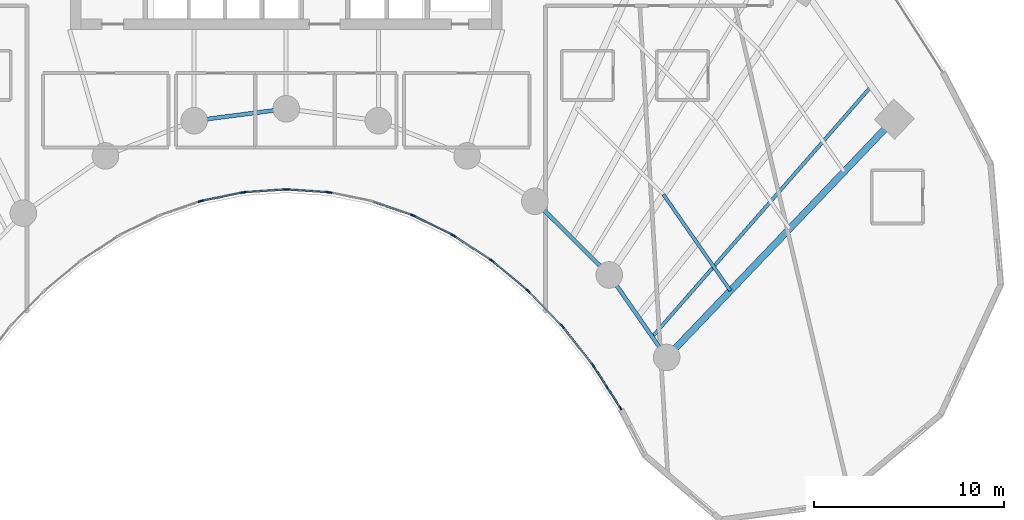
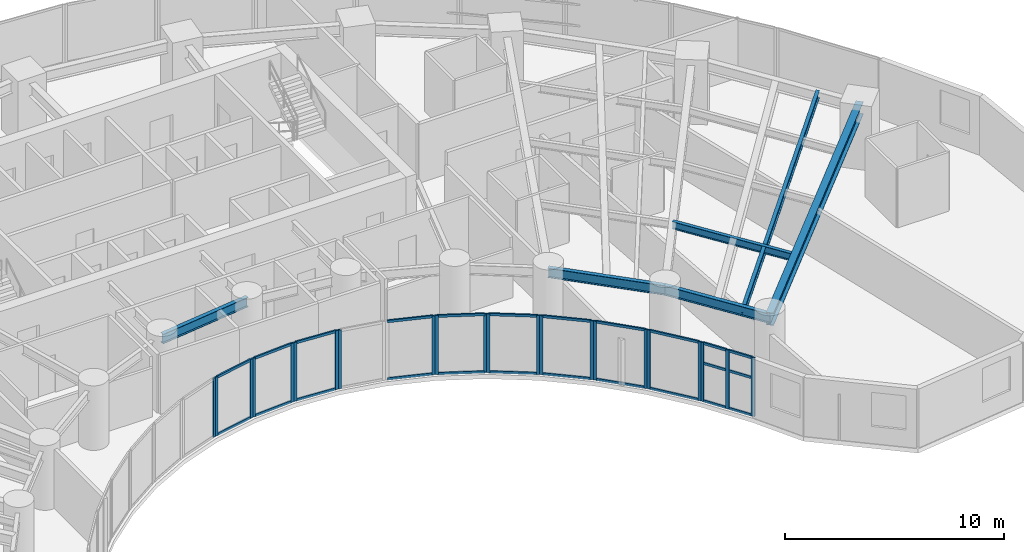
# One storey, part 4 of 17: 46 members, 6 beams, 12 elements without a shape of their own.
"""IFC4 building model written with IfcOpenShell, lengths in metres."""

import ifcopenshell
import ifcopenshell.guid

model = None  # the IFC model being written
_history = None  # IfcOwnerHistory: only IFC2X3 demands one
_inside = {}  # id of a spatial element -> (the spatial element, [elements in it])
_under = {}  # id of a project, library or spatial element -> (it, [spatial elements below it])
_declared = {}  # id of a project -> (the project, [libraries it declares])
_typed = {}  # id of a type object -> (the type object, [elements of that type])
_made_of = {}  # id of a material, layer set ... -> (it, [elements and type objects made of it])


def new_model(schema):
    """Start an empty IFC model of exactly this schema.

    Asked for "IFC4X3", IfcOpenShell would pick the latest addendum, in which some entities
    have other attributes; the version numbers below select the first issue.
    IFC2X3 requires an IfcOwnerHistory on every rooted entity: one is made here for all.
    """
    global model, _history
    if schema == "IFC4X3":
        model = ifcopenshell.file(schema_version=(4, 3, 0, 0))
    else:
        model = ifcopenshell.file(schema=schema)
    _inside.clear()
    _under.clear()
    _declared.clear()
    _typed.clear()
    _made_of.clear()
    _history = None
    if model.schema == "IFC2X3":
        org = make("IfcOrganization", Name="unknown")
        user = make(
            "IfcPersonAndOrganization",
            ThePerson=make("IfcPerson", FamilyName="unknown"),
            TheOrganization=org,
        )
        app = make(
            "IfcApplication",
            ApplicationDeveloper=org,
            Version="unknown",
            ApplicationFullName="unknown",
            ApplicationIdentifier="unknown",
        )
        _history = make(
            "IfcOwnerHistory",
            OwningUser=user,
            OwningApplication=app,
            ChangeAction="ADDED",
            CreationDate=0,
        )
    return model


def make(cls, **values):
    """One entity of the class cls with the attributes given. An attribute that is None is left unset."""
    return model.create_entity(
        cls, **{name: value for name, value in values.items() if value is not None}
    )


def rooted(cls, **values):
    """An entity with a GlobalId (a new one), such as an element, a storey or a relation."""
    return make(cls, GlobalId=ifcopenshell.guid.new(), OwnerHistory=_history, **values)


def si_unit(unit_type, name, prefix=None):
    """IfcSIUnit, for example si_unit("LENGTHUNIT", "METRE", prefix="MILLI")."""
    return make("IfcSIUnit", UnitType=unit_type, Prefix=prefix, Name=name)


def assignment(units):
    """IfcUnitAssignment: the units of a project."""
    return None if units is None else make("IfcUnitAssignment", Units=units)


def point(xyz):
    """IfcCartesianPoint."""
    return None if xyz is None else make("IfcCartesianPoint", Coordinates=xyz)


def direction(xyz):
    """IfcDirection."""
    return None if xyz is None else make("IfcDirection", DirectionRatios=xyz)


def frame(location, z_axis=None, x_axis=None):
    """IfcAxis2Placement3D, a coordinate frame: its origin and axes. An axis left out is left unset."""
    return make(
        "IfcAxis2Placement3D",
        Location=point(location),
        Axis=direction(z_axis),
        RefDirection=direction(x_axis),
    )


def frame_2d(location, x_axis=None):
    """IfcAxis2Placement2D, a coordinate frame in the plane: its origin and x axis."""
    return make(
        "IfcAxis2Placement2D", Location=point(location), RefDirection=direction(x_axis)
    )


def origin():
    """The frame at (0, 0, 0) with its axes left unset."""
    return frame((0.0, 0.0, 0.0))


def origin_2d():
    """The frame at (0, 0) in the plane with its x axis left unset."""
    return frame_2d((0.0, 0.0))


def place(relative_to, where):
    """IfcLocalPlacement: puts the frame where relative to a parent placement (None: the world)."""
    return make(
        "IfcLocalPlacement", PlacementRelTo=relative_to, RelativePlacement=where
    )


def context(
    kind, dimensions, precision=None, world=None, true_north=None, identifier=None
):
    """IfcGeometricRepresentationContext, for example the 3D "Model" context."""
    return make(
        "IfcGeometricRepresentationContext",
        ContextIdentifier=identifier,
        ContextType=kind,
        CoordinateSpaceDimension=dimensions,
        Precision=precision,
        WorldCoordinateSystem=world,
        TrueNorth=true_north,
    )


def subcontext(parent, identifier, kind, view, scale=None):
    """IfcGeometricRepresentationSubContext, for example "Body" below "Model"."""
    return make(
        "IfcGeometricRepresentationSubContext",
        ContextIdentifier=identifier,
        ContextType=kind,
        ParentContext=parent,
        TargetScale=scale,
        TargetView=view,
    )


def project(units=None, contexts=None):
    """IfcProject with its units and contexts."""
    return rooted(
        "IfcProject",
        Name="project",
        RepresentationContexts=contexts,
        UnitsInContext=assignment(units),
    )


def spatial(cls, under=None, at=None, **own):
    """A site, building, storey or space (cls), placed at a placement, below another one or the project."""
    s = rooted(cls, ObjectPlacement=at, **own)
    if under is not None:
        _under.setdefault(under.id(), (under, []))[1].append(s)
    return s


def profile(cls, at=None, kind="AREA", **sizes):
    """A parametric profile (cls). Its sizes go by their IFC names, for example OverallWidth=200.0."""
    return make(cls, ProfileType=kind, Position=at, **sizes)


def rectangle(**sizes):
    """IfcRectangleProfileDef."""
    return profile("IfcRectangleProfileDef", **sizes)


def i_section(**sizes):
    """IfcIShapeProfileDef."""
    return profile("IfcIShapeProfileDef", **sizes)


def extrude(swept, where, along, depth):
    """IfcExtrudedAreaSolid: the profile swept, set in the frame where, extruded along a direction by depth."""
    return make(
        "IfcExtrudedAreaSolid",
        SweptArea=swept,
        Position=where,
        ExtrudedDirection=direction(along),
        Depth=depth,
    )


def shape(context_of_items, identifier, shape_type, items):
    """IfcShapeRepresentation: the items that make up one representation, for example the "Body"."""
    return make(
        "IfcShapeRepresentation",
        ContextOfItems=context_of_items,
        RepresentationIdentifier=identifier,
        RepresentationType=shape_type,
        Items=items,
    )


def source(mapping_origin, context_of_items, identifier, shape_type, items):
    """IfcRepresentationMap: a shape defined once, which mapped items show again and again."""
    return make(
        "IfcRepresentationMap",
        MappingOrigin=mapping_origin,
        MappedRepresentation=shape(context_of_items, identifier, shape_type, items),
    )


def transform(
    local_origin,
    x_axis=None,
    y_axis=None,
    z_axis=None,
    scale=None,
    scale2=None,
    scale3=None,
    uniform=True,
):
    """IfcCartesianTransformationOperator3D, or its non-uniform kind. x_axis, y_axis, z_axis: its Axis1, 2, 3."""
    if uniform:
        return make(
            "IfcCartesianTransformationOperator3D",
            Axis1=direction(x_axis),
            Axis2=direction(y_axis),
            LocalOrigin=point(local_origin),
            Scale=scale,
            Axis3=direction(z_axis),
        )
    return make(
        "IfcCartesianTransformationOperator3DnonUniform",
        Axis1=direction(x_axis),
        Axis2=direction(y_axis),
        LocalOrigin=point(local_origin),
        Scale=scale,
        Axis3=direction(z_axis),
        Scale2=scale2,
        Scale3=scale3,
    )


def mapped(mapping_source, mapping_target):
    """IfcMappedItem: shows the shape of a source again, moved by a transform."""
    return make(
        "IfcMappedItem", MappingSource=mapping_source, MappingTarget=mapping_target
    )


def material(Name=None, Category=None):
    """IfcMaterial."""
    return make("IfcMaterial", Name=Name, Category=Category)


def layer(
    of_material, thickness, ventilated=None, Name=None, Category=None, Priority=None
):
    """IfcMaterialLayer: one layer of a wall or slab, of a material (None: an air gap)."""
    return make(
        "IfcMaterialLayer",
        Material=of_material,
        LayerThickness=thickness,
        IsVentilated=ventilated,
        Name=Name,
        Category=Category,
        Priority=Priority,
    )


def layer_set(layers, Name=None):
    """IfcMaterialLayerSet."""
    return make("IfcMaterialLayerSet", MaterialLayers=layers, LayerSetName=Name)


def material_profile(
    of_material, cross_section, Name=None, Category=None, Priority=None
):
    """IfcMaterialProfile: a cross section and its material."""
    return make(
        "IfcMaterialProfile",
        Name=Name,
        Material=of_material,
        Profile=cross_section,
        Priority=Priority,
        Category=Category,
    )


def profile_set(profiles, Name=None, composite=None):
    """IfcMaterialProfileSet."""
    return make(
        "IfcMaterialProfileSet",
        Name=Name,
        MaterialProfiles=profiles,
        CompositeProfile=composite,
    )


def made_of(thing, what):
    """Note that an element or type object is made of a material, layer set ...; save() writes the relation."""
    if what is not None:
        _made_of.setdefault(what.id(), (what, []))[1].append(thing)
    return thing


def type_object(cls, material=None, **own):
    """A type object (cls), such as IfcWallType, which elements share."""
    return made_of(rooted(cls, **own), material)


def type_shapes(of_type, sources):
    """Give a type object the sources (RepresentationMaps) that its elements show as mapped items."""
    of_type.RepresentationMaps = sources


def element(
    cls,
    number,
    at=None,
    inside=None,
    cuts=None,
    type_object=None,
    material=None,
    context=None,
    identifier="Body",
    shape_type=None,
    held_by="IfcProductDefinitionShape",
    body=None,
    shapes=None,
    **own,
):
    """One element of the class cls, such as IfcWall. Its Tag is "e" and its number.

    at: its placement. inside: the storey or other place that contains it. cuts: it is an
    opening in that element (IfcRelVoidsElement). A single representation is given by context,
    identifier, shape_type and body (its items); several are given by shapes. held_by: the class
    of the entity that holds the representations. save() writes the other relations.
    """
    e = rooted(cls, Tag="e%d" % number, ObjectPlacement=at, **own)
    if body is not None:
        shapes = [shape(context, identifier, shape_type, body)]
    if shapes is not None:
        e.Representation = make(held_by, Representations=shapes)
    if inside is not None:
        _inside.setdefault(inside.id(), (inside, []))[1].append(e)
    if cuts is not None:
        rooted(
            "IfcRelVoidsElement", RelatingBuildingElement=cuts, RelatedOpeningElement=e
        )
    if type_object is not None:
        _typed.setdefault(type_object.id(), (type_object, []))[1].append(e)
    return made_of(e, material)


def aggregate(whole, parts):
    """IfcRelAggregates: a whole, such as a stair, and the parts it consists of."""
    return rooted("IfcRelAggregates", RelatingObject=whole, RelatedObjects=parts)


def save(model, path):
    """Write the relations noted so far, then the file.

    IfcRelAggregates (storeys below a building ...), IfcRelContainedInSpatialStructure (elements
    in a storey), IfcRelDefinesByType, IfcRelAssociatesMaterial and IfcRelDeclares: one each for
    every whole, place, type object, material and project.
    """
    for whole, parts in _under.values():
        aggregate(whole, parts)
    for where, things in _inside.values():
        rooted(
            "IfcRelContainedInSpatialStructure",
            RelatedElements=things,
            RelatingStructure=where,
        )
    for kind, things in _typed.values():
        rooted("IfcRelDefinesByType", RelatedObjects=things, RelatingType=kind)
    for what, things in _made_of.values():
        rooted("IfcRelAssociatesMaterial", RelatedObjects=things, RelatingMaterial=what)
    for by, libraries in _declared.values():
        rooted("IfcRelDeclares", RelatingContext=by, RelatedDefinitions=libraries)
    model.write(path)


model = new_model("IFC4")

# Units and contexts
model_context = context("Model", 3, precision=1e-05, world=origin(), true_north=direction((0.0, 1.0)))
body_context = subcontext(model_context, "Body", "Model", "MODEL_VIEW")
ifc_project = project(units=[si_unit("LENGTHUNIT", "METRE"), si_unit("AREAUNIT", "SQUARE_METRE"), si_unit("VOLUMEUNIT", "CUBIC_METRE"), si_unit("PLANEANGLEUNIT", "RADIAN"), si_unit("MASSUNIT", "GRAM", prefix="KILO")], contexts=[model_context])

# Site, building, storey
site_placement = place(None, origin())
site = spatial("IfcSite", under=ifc_project, at=site_placement, CompositionType="ELEMENT")
building_placement = place(site_placement, origin())
building = spatial("IfcBuilding", under=site, at=building_placement, Name="Breltana Convention Tower", CompositionType="ELEMENT")
storey_placement = place(building_placement, frame((0.0, 0.0, 82.199951171875)))
storey = spatial("IfcBuildingStorey", under=building, at=storey_placement, Name="L19", CompositionType="ELEMENT", Elevation=82.199951171875)

# Beams
ifc_material_1 = material(Name="Steel ASTM A992 Grade 50", Category="steel")
ifc_material_profile_1 = material_profile(ifc_material_1, i_section(OverallWidth=0.35498046875, OverallDepth=0.696044921875, WebThickness=0.015380859375, FlangeThickness=0.02490234375, at=origin_2d()), Name="W27X146")
ifc_profile_set_1 = profile_set([ifc_material_profile_1], Name="Steel ASTM A992 Grade 50")
beam_type_1 = type_object("IfcBeamType", Name="BM-RG-W27X146", PredefinedType="USERDEFINED", material=ifc_profile_set_1)
shared_shape_1 = source(origin(), body_context, "Body", "SweptSolid", [
    extrude(i_section(OverallWidth=0.35498046875, OverallDepth=0.696044921875, WebThickness=0.015380859375, FlangeThickness=0.02490234375, at=origin_2d()), origin(), (0.0, 0.0, 1.0), 17.341064453125),
])
type_shapes(beam_type_1, [shared_shape_1])
beam_1_placement = place(storey_placement, frame((68.015380859375, 42.95458984375, 2.93212890625), z_axis=(0.690716462293, 0.723125693581, 0.0), x_axis=(-0.723125693581, 0.690716462293, 0.0)))
element("IfcBeam", 1, at=beam_1_placement, inside=storey, type_object=beam_type_1, Name="L19 Radial Floor Girder R11", ObjectType="GIRDER", PredefinedType="USERDEFINED", context=body_context, shape_type="MappedRepresentation", body=[
    mapped(shared_shape_1, transform((0.0, 0.0, 0.0), scale=1.0)),
])
ifc_material_profile_2 = material_profile(ifc_material_1, i_section(OverallWidth=0.2099609375, OverallDepth=0.537109375, WebThickness=0.010986328125, FlangeThickness=0.017333984375, at=origin_2d()), Name="W21X68")
ifc_profile_set_2 = profile_set([ifc_material_profile_2], Name="Steel ASTM A992 Grade 50")
beam_type_2 = type_object("IfcBeamType", Name="BM-BM-W21X68", PredefinedType="BEAM", material=ifc_profile_set_2)
shared_shape_2 = source(origin(), body_context, "Body", "SweptSolid", [
    extrude(i_section(OverallWidth=0.2099609375, OverallDepth=0.537109375, WebThickness=0.010986328125, FlangeThickness=0.017333984375, at=origin_2d()), origin(), (0.0, 0.0, 1.0), 4.88671875),
])
beam_2_placement = place(storey_placement, frame((43.153564453125, 55.41064453125, 3.011474609375), z_axis=(0.991780525565, 0.127950729231, 0.0), x_axis=(-0.127950729231, 0.991780525565, 0.0)))
element("IfcBeam", 2, at=beam_2_placement, inside=storey, type_object=beam_type_2, Name="L19 Inner Ring Beam 05", PredefinedType="BEAM", context=body_context, shape_type="MappedRepresentation", body=[
    mapped(shared_shape_2, transform((0.0, 0.0, 0.0), scale=1.0)),
])
shared_shape_3 = source(origin(), body_context, "Body", "SweptSolid", [
    extrude(i_section(OverallWidth=0.2099609375, OverallDepth=0.537109375, WebThickness=0.010986328125, FlangeThickness=0.017333984375, at=origin_2d()), origin(), (0.0, 0.0, 1.0), 5.51171875),
])
beam_3_placement = place(storey_placement, frame((61.08203125, 51.174560546875, 3.011474609375), z_axis=(0.710090360749, -0.704110559196, 0.0), x_axis=(0.704110559196, 0.710090360749, 0.0)))
element("IfcBeam", 3, at=beam_3_placement, inside=storey, type_object=beam_type_2, Name="L19 Inner Ring Beam 09", PredefinedType="BEAM", context=body_context, shape_type="MappedRepresentation", body=[
    mapped(shared_shape_3, transform((0.0, 0.0, 0.0), scale=1.0)),
])
shared_shape_4 = source(origin(), body_context, "Body", "SweptSolid", [
    extrude(i_section(OverallWidth=0.2099609375, OverallDepth=0.537109375, WebThickness=0.010986328125, FlangeThickness=0.017333984375, at=origin_2d()), origin(), (0.0, 0.0, 1.0), 5.286376953125),
])
beam_4_placement = place(storey_placement, frame((64.995849609375, 47.293701171875, 3.011474609375), z_axis=(0.571194382458, -0.82081482531, 0.0), x_axis=(0.82081482531, 0.571194382458, 0.0)))
element("IfcBeam", 4, at=beam_4_placement, inside=storey, type_object=beam_type_2, Name="L19 Inner Ring Beam 10", PredefinedType="BEAM", context=body_context, shape_type="MappedRepresentation", body=[
    mapped(shared_shape_4, transform((0.0, 0.0, 0.0), scale=1.0)),
])
ifc_material_profile_3 = material_profile(ifc_material_1, i_section(OverallWidth=0.179931640625, OverallDepth=0.4130859375, WebThickness=0.009765625, FlangeThickness=0.01611328125, at=origin_2d()), Name="W16X50")
ifc_profile_set_3 = profile_set([ifc_material_profile_3], Name="Steel ASTM A992 Grade 50")
beam_type_3 = type_object("IfcBeamType", Name="BM-JSG-08", PredefinedType="JOIST", material=ifc_profile_set_3)
shared_shape_5 = source(origin(), body_context, "Body", "SweptSolid", [
    extrude(i_section(OverallWidth=0.179931640625, OverallDepth=0.4130859375, WebThickness=0.009765625, FlangeThickness=0.01611328125, at=origin_2d()), origin(), (0.0, 0.0, 1.0), 6.172119140625),
])
beam_5_placement = place(storey_placement, frame((67.84375, 51.531982421875, 3.073486328125), z_axis=(0.571211663392, -0.820802799462, 0.0), x_axis=(0.820802799462, 0.571211663392, 0.0)))
element("IfcBeam", 5, at=beam_5_placement, inside=storey, type_object=beam_type_3, Name="L19 Composite Floor Joist 10.1", PredefinedType="JOIST", context=body_context, shape_type="MappedRepresentation", body=[
    mapped(shared_shape_5, transform((0.0, 0.0, 0.0), scale=1.0)),
])
shared_shape_6 = source(origin(), body_context, "Body", "SweptSolid", [
    extrude(i_section(OverallWidth=0.179931640625, OverallDepth=0.4130859375, WebThickness=0.009765625, FlangeThickness=0.01611328125, at=origin_2d()), origin(), (0.0, 0.0, 1.0), 17.515625),
])
beam_6_placement = place(storey_placement, frame((67.260498046875, 44.03955078125, 3.073486328125), z_axis=(0.658051548324, 0.752972881151, 0.0), x_axis=(-0.752972881151, 0.658051548324, 0.0)))
element("IfcBeam", 6, at=beam_6_placement, inside=storey, type_object=beam_type_3, Name="L19 Quarter-Bay Radial Trimmer 10", PredefinedType="JOIST", context=body_context, shape_type="MappedRepresentation", body=[
    mapped(shared_shape_6, transform((0.0, 0.0, 0.0), scale=1.0)),
])

# Curtain wall, members
ifc_material_2 = material(Name="Aluminium Anodised Bronze Frame", Category="aluminium")
ifc_layer = layer(ifc_material_2, 0.18994140625, Name="Aluminium Anodised Bronze Frame")
ifc_layer_set = layer_set([ifc_layer], Name="Aluminium Anodised Bronze Frame")
curtain_wall_type = type_object("IfcCurtainWallType", Name="CW-SYS-1", PredefinedType="NOTDEFINED", material=ifc_layer_set)
curtain_wall_1_placement = place(storey_placement, origin())
curtain_wall_1 = element("IfcCurtainWall", 7, at=curtain_wall_1_placement, inside=storey, type_object=curtain_wall_type, Name="L19 inner south-court glazing 3", PredefinedType="NOTDEFINED")
ifc_material_3 = material(Name="Aluminium Anodised Bronze", Category="aluminium")
ifc_material_profile_4 = material_profile(ifc_material_3, rectangle(XDim=0.080078125, YDim=0.139892578125, at=origin_2d()), Name="CWT-80X140")
ifc_profile_set_4 = profile_set([ifc_material_profile_4], Name="Aluminium Anodised Bronze")
member_type_1 = type_object("IfcMemberType", Name="CWT-140", PredefinedType="USERDEFINED", material=ifc_profile_set_4)
shared_shape_7 = source(origin(), body_context, "Body", "SweptSolid", [
    extrude(rectangle(XDim=0.080078125, YDim=0.139892578125, at=origin_2d()), origin(), (0.0, 0.0, 1.0), 2.38720703125),
])
type_shapes(member_type_1, [shared_shape_7])
member_1_placement = place(storey_placement, frame((62.4560546875, 44.667724609375, 0.0400390625), z_axis=(-0.694623715393, 0.719373264734, 0.0), x_axis=(-0.719373264734, -0.694623715393, 0.0)))
member_1 = element("IfcMember", 8, at=member_1_placement, type_object=member_type_1, Name="CW-01 transom 1.1", ObjectType="TRANSOM", PredefinedType="USERDEFINED", context=body_context, shape_type="MappedRepresentation", body=[
    mapped(shared_shape_7, transform((0.0, 0.0, 0.0), scale=1.0)),
])
member_2_placement = place(storey_placement, frame((62.4560546875, 44.667724609375, 3.239990234375), z_axis=(-0.694623715393, 0.719373264734, 0.0), x_axis=(-0.719373264734, -0.694623715393, 0.0)))
member_2 = element("IfcMember", 9, at=member_2_placement, type_object=member_type_1, Name="CW-01 transom 1.2", ObjectType="TRANSOM", PredefinedType="USERDEFINED", context=body_context, shape_type="MappedRepresentation", body=[
    mapped(shared_shape_7, transform((0.0, 0.0, 0.0), scale=1.0)),
])

curtain_wall_2_placement = place(storey_placement, origin())
curtain_wall_2 = element("IfcCurtainWall", 10, at=curtain_wall_2_placement, inside=storey, type_object=curtain_wall_type, Name="L19 inner south-court glazing 4", PredefinedType="NOTDEFINED")
shared_shape_8 = source(origin(), body_context, "Body", "SweptSolid", [
    extrude(rectangle(XDim=0.080078125, YDim=0.139892578125, at=origin_2d()), origin(), (0.0, 0.0, 1.0), 2.312255859375),
])
member_3_placement = place(storey_placement, frame((60.666748046875, 46.5068359375, 0.0400390625), z_axis=(-0.767900974507, 0.640568570374, 0.0), x_axis=(-0.640568570374, -0.767900974507, 0.0)))
member_3 = element("IfcMember", 11, at=member_3_placement, type_object=member_type_1, Name="CW-01 transom 1.1", ObjectType="TRANSOM", PredefinedType="USERDEFINED", context=body_context, shape_type="MappedRepresentation", body=[
    mapped(shared_shape_8, transform((0.0, 0.0, 0.0), scale=1.0)),
])
member_4_placement = place(storey_placement, frame((60.666748046875, 46.5068359375, 3.239990234375), z_axis=(-0.767900974507, 0.640568570374, 0.0), x_axis=(-0.640568570374, -0.767900974507, 0.0)))
member_4 = element("IfcMember", 12, at=member_4_placement, type_object=member_type_1, Name="CW-01 transom 1.2", ObjectType="TRANSOM", PredefinedType="USERDEFINED", context=body_context, shape_type="MappedRepresentation", body=[
    mapped(shared_shape_8, transform((0.0, 0.0, 0.0), scale=1.0)),
])

curtain_wall_3_placement = place(storey_placement, origin())
curtain_wall_3 = element("IfcCurtainWall", 13, at=curtain_wall_3_placement, inside=storey, type_object=curtain_wall_type, Name="L19 inner south-court glazing 5", PredefinedType="NOTDEFINED")
shared_shape_9 = source(origin(), body_context, "Body", "SweptSolid", [
    extrude(rectangle(XDim=0.080078125, YDim=0.139892578125, at=origin_2d()), origin(), (0.0, 0.0, 1.0), 2.2421875),
])
member_5_placement = place(storey_placement, frame((58.746337890625, 48.095458984375, 0.0400390625), z_axis=(-0.835982353773, 0.548756324957, 0.0), x_axis=(-0.548756324957, -0.835982353773, 0.0)))
member_5 = element("IfcMember", 14, at=member_5_placement, type_object=member_type_1, Name="CW-01 transom 1.1", ObjectType="TRANSOM", PredefinedType="USERDEFINED", context=body_context, shape_type="MappedRepresentation", body=[
    mapped(shared_shape_9, transform((0.0, 0.0, 0.0), scale=1.0)),
])
member_6_placement = place(storey_placement, frame((58.746337890625, 48.095458984375, 3.239990234375), z_axis=(-0.835982353773, 0.548756324957, 0.0), x_axis=(-0.548756324957, -0.835982353773, 0.0)))
member_6 = element("IfcMember", 15, at=member_6_placement, type_object=member_type_1, Name="CW-01 transom 1.2", ObjectType="TRANSOM", PredefinedType="USERDEFINED", context=body_context, shape_type="MappedRepresentation", body=[
    mapped(shared_shape_9, transform((0.0, 0.0, 0.0), scale=1.0)),
])

curtain_wall_4_placement = place(storey_placement, origin())
curtain_wall_4 = element("IfcCurtainWall", 16, at=curtain_wall_4_placement, inside=storey, type_object=curtain_wall_type, Name="L19 inner south-court glazing 6", PredefinedType="NOTDEFINED")
shared_shape_10 = source(origin(), body_context, "Body", "SweptSolid", [
    extrude(rectangle(XDim=0.080078125, YDim=0.139892578125, at=origin_2d()), origin(), (0.0, 0.0, 1.0), 2.180908203125),
])
member_7_placement = place(storey_placement, frame((56.71435546875, 49.416015625, 0.0400390625), z_axis=(-0.895922266369, 0.444210865045, 0.0), x_axis=(-0.444210865045, -0.895922266369, 0.0)))
member_7 = element("IfcMember", 17, at=member_7_placement, type_object=member_type_1, Name="CW-01 transom 1.1", ObjectType="TRANSOM", PredefinedType="USERDEFINED", context=body_context, shape_type="MappedRepresentation", body=[
    mapped(shared_shape_10, transform((0.0, 0.0, 0.0), scale=1.0)),
])
member_8_placement = place(storey_placement, frame((56.71435546875, 49.416015625, 3.239990234375), z_axis=(-0.895922266369, 0.444210865045, 0.0), x_axis=(-0.444210865045, -0.895922266369, 0.0)))
member_8 = element("IfcMember", 18, at=member_8_placement, type_object=member_type_1, Name="CW-01 transom 1.2", ObjectType="TRANSOM", PredefinedType="USERDEFINED", context=body_context, shape_type="MappedRepresentation", body=[
    mapped(shared_shape_10, transform((0.0, 0.0, 0.0), scale=1.0)),
])

curtain_wall_5_placement = place(storey_placement, origin())
curtain_wall_5 = element("IfcCurtainWall", 19, at=curtain_wall_5_placement, inside=storey, type_object=curtain_wall_type, Name="L19 inner south-court glazing 9", PredefinedType="NOTDEFINED")
shared_shape_11 = source(origin(), body_context, "Body", "SweptSolid", [
    extrude(rectangle(XDim=0.080078125, YDim=0.139892578125, at=origin_2d()), origin(), (0.0, 0.0, 1.0), 2.07861328125),
])
member_9_placement = place(storey_placement, frame((50.165771484375, 51.6474609375, 0.0400390625), z_axis=(-0.997708627147, 0.067657189691, 0.0), x_axis=(-0.067657189691, -0.997708627147, 0.0)))
member_9 = element("IfcMember", 20, at=member_9_placement, type_object=member_type_1, Name="CW-01 transom 1.1", ObjectType="TRANSOM", PredefinedType="USERDEFINED", context=body_context, shape_type="MappedRepresentation", body=[
    mapped(shared_shape_11, transform((0.0, 0.0, 0.0), scale=1.0)),
])
member_10_placement = place(storey_placement, frame((50.165771484375, 51.6474609375, 3.239990234375), z_axis=(-0.997708627147, 0.067657189691, 0.0), x_axis=(-0.067657189691, -0.997708627147, 0.0)))
member_10 = element("IfcMember", 21, at=member_10_placement, type_object=member_type_1, Name="CW-01 transom 1.2", ObjectType="TRANSOM", PredefinedType="USERDEFINED", context=body_context, shape_type="MappedRepresentation", body=[
    mapped(shared_shape_11, transform((0.0, 0.0, 0.0), scale=1.0)),
])

curtain_wall_6_placement = place(storey_placement, origin())
curtain_wall_6 = element("IfcCurtainWall", 22, at=curtain_wall_6_placement, inside=storey, type_object=curtain_wall_type, Name="L19 inner south-court glazing 10", PredefinedType="NOTDEFINED")
member_11_placement = place(storey_placement, frame((47.907958984375, 51.7880859375, 0.0400390625), z_axis=(-0.997708627147, -0.067657189691, 0.0), x_axis=(0.067657189691, -0.997708627147, 0.0)))
member_11 = element("IfcMember", 23, at=member_11_placement, type_object=member_type_1, Name="CW-01 transom 1.1", ObjectType="TRANSOM", PredefinedType="USERDEFINED", context=body_context, shape_type="MappedRepresentation", body=[
    mapped(shared_shape_11, transform((0.0, 0.0, 0.0), scale=1.0)),
])
member_12_placement = place(storey_placement, frame((47.907958984375, 51.7880859375, 3.239990234375), z_axis=(-0.997708627147, -0.067657189691, 0.0), x_axis=(0.067657189691, -0.997708627147, 0.0)))
member_12 = element("IfcMember", 24, at=member_12_placement, type_object=member_type_1, Name="CW-01 transom 1.2", ObjectType="TRANSOM", PredefinedType="USERDEFINED", context=body_context, shape_type="MappedRepresentation", body=[
    mapped(shared_shape_11, transform((0.0, 0.0, 0.0), scale=1.0)),
])

curtain_wall_7_placement = place(storey_placement, origin())
curtain_wall_7 = element("IfcCurtainWall", 25, at=curtain_wall_7_placement, inside=storey, type_object=curtain_wall_type, Name="L19 inner south-court glazing 2", PredefinedType="NOTDEFINED")
shared_shape_12 = source(origin(), body_context, "Body", "SweptSolid", [
    extrude(rectangle(XDim=0.080078125, YDim=0.139892578125, at=origin_2d()), origin(), (0.0, 0.0, 1.0), 2.4638671875),
])
member_13_placement = place(storey_placement, frame((64.09619140625, 42.5966796875, 0.0400390625), z_axis=(-0.618184689608, 0.786032880695, 0.0), x_axis=(-0.786032880695, -0.618184689608, 0.0)))
member_13 = element("IfcMember", 26, at=member_13_placement, type_object=member_type_1, Name="CW-01 transom 1.1", ObjectType="TRANSOM", PredefinedType="USERDEFINED", context=body_context, shape_type="MappedRepresentation", body=[
    mapped(shared_shape_12, transform((0.0, 0.0, 0.0), scale=1.0)),
])
member_14_placement = place(storey_placement, frame((64.09619140625, 42.5966796875, 3.239990234375), z_axis=(-0.618184689608, 0.786032880695, 0.0), x_axis=(-0.786032880695, -0.618184689608, 0.0)))
member_14 = element("IfcMember", 27, at=member_14_placement, type_object=member_type_1, Name="CW-01 transom 1.2", ObjectType="TRANSOM", PredefinedType="USERDEFINED", context=body_context, shape_type="MappedRepresentation", body=[
    mapped(shared_shape_12, transform((0.0, 0.0, 0.0), scale=1.0)),
])

curtain_wall_8_placement = place(storey_placement, origin())
curtain_wall_8 = element("IfcCurtainWall", 28, at=curtain_wall_8_placement, inside=storey, type_object=curtain_wall_type, Name="L19 inner south-court glazing 1", PredefinedType="NOTDEFINED")
shared_shape_13 = source(origin(), body_context, "Body", "SweptSolid", [
    extrude(rectangle(XDim=0.080078125, YDim=0.139892578125, at=origin_2d()), origin(), (0.0, 0.0, 1.0), 1.229736328125),
])
member_15_placement = place(storey_placement, frame((65.57080078125, 40.315185546875, 0.0400390625), z_axis=(-0.540185543357, 0.841545945714, 0.0), x_axis=(-0.841545945714, -0.540185543357, 0.0)))
member_15 = element("IfcMember", 29, at=member_15_placement, type_object=member_type_1, Name="CW-01 transom 1.1", ObjectType="TRANSOM", PredefinedType="USERDEFINED", context=body_context, shape_type="MappedRepresentation", body=[
    mapped(shared_shape_13, transform((0.0, 0.0, 0.0), scale=1.0)),
])
member_16_placement = place(storey_placement, frame((65.57080078125, 40.315185546875, 2.132080078125), z_axis=(-0.540185543357, 0.841545945714, 0.0), x_axis=(-0.841545945714, -0.540185543357, 0.0)))
member_16 = element("IfcMember", 30, at=member_16_placement, type_object=member_type_1, Name="CW-01 transom 1.2", ObjectType="TRANSOM", PredefinedType="USERDEFINED", context=body_context, shape_type="MappedRepresentation", body=[
    mapped(shared_shape_13, transform((0.0, 0.0, 0.0), scale=1.0)),
])
member_17_placement = place(storey_placement, frame((65.57080078125, 40.315185546875, 3.239990234375), z_axis=(-0.540185543357, 0.841545945714, 0.0), x_axis=(-0.841545945714, -0.540185543357, 0.0)))
member_17 = element("IfcMember", 31, at=member_17_placement, type_object=member_type_1, Name="CW-01 transom 1.3", ObjectType="TRANSOM", PredefinedType="USERDEFINED", context=body_context, shape_type="MappedRepresentation", body=[
    mapped(shared_shape_13, transform((0.0, 0.0, 0.0), scale=1.0)),
])
member_18_placement = place(storey_placement, frame((64.86328125, 41.41748046875, 0.0400390625), z_axis=(-0.540185543357, 0.841545945714, 0.0), x_axis=(-0.841545945714, -0.540185543357, 0.0)))
member_18 = element("IfcMember", 32, at=member_18_placement, type_object=member_type_1, Name="CW-01 transom 2.1", ObjectType="TRANSOM", PredefinedType="USERDEFINED", context=body_context, shape_type="MappedRepresentation", body=[
    mapped(shared_shape_13, transform((0.0, 0.0, 0.0), scale=1.0)),
])
member_19_placement = place(storey_placement, frame((64.86328125, 41.41748046875, 2.132080078125), z_axis=(-0.540185543357, 0.841545945714, 0.0), x_axis=(-0.841545945714, -0.540185543357, 0.0)))
member_19 = element("IfcMember", 33, at=member_19_placement, type_object=member_type_1, Name="CW-01 transom 2.2", ObjectType="TRANSOM", PredefinedType="USERDEFINED", context=body_context, shape_type="MappedRepresentation", body=[
    mapped(shared_shape_13, transform((0.0, 0.0, 0.0), scale=1.0)),
])
member_20_placement = place(storey_placement, frame((64.86328125, 41.41748046875, 3.239990234375), z_axis=(-0.540185543357, 0.841545945714, 0.0), x_axis=(-0.841545945714, -0.540185543357, 0.0)))
member_20 = element("IfcMember", 34, at=member_20_placement, type_object=member_type_1, Name="CW-01 transom 2.3", ObjectType="TRANSOM", PredefinedType="USERDEFINED", context=body_context, shape_type="MappedRepresentation", body=[
    mapped(shared_shape_13, transform((0.0, 0.0, 0.0), scale=1.0)),
])

curtain_wall_9_placement = place(storey_placement, origin())
curtain_wall_9 = element("IfcCurtainWall", 35, at=curtain_wall_9_placement, inside=storey, type_object=curtain_wall_type, Name="L19 inner south-court glazing 7", PredefinedType="NOTDEFINED")
shared_shape_14 = source(origin(), body_context, "Body", "SweptSolid", [
    extrude(rectangle(XDim=0.080078125, YDim=0.139892578125, at=origin_2d()), origin(), (0.0, 0.0, 1.0), 2.131103515625),
])
member_21_placement = place(storey_placement, frame((54.592041015625, 50.455078125, 0.0400390625), z_axis=(-0.944847069856, 0.327511854112, 0.0), x_axis=(-0.327511854112, -0.944847069856, 0.0)))
member_21 = element("IfcMember", 36, at=member_21_placement, type_object=member_type_1, Name="CW-01 transom 1.1", ObjectType="TRANSOM", PredefinedType="USERDEFINED", context=body_context, shape_type="MappedRepresentation", body=[
    mapped(shared_shape_14, transform((0.0, 0.0, 0.0), scale=1.0)),
])
member_22_placement = place(storey_placement, frame((54.592041015625, 50.455078125, 3.239990234375), z_axis=(-0.944847069856, 0.327511854112, 0.0), x_axis=(-0.327511854112, -0.944847069856, 0.0)))
member_22 = element("IfcMember", 37, at=member_22_placement, type_object=member_type_1, Name="CW-01 transom 1.2", ObjectType="TRANSOM", PredefinedType="USERDEFINED", context=body_context, shape_type="MappedRepresentation", body=[
    mapped(shared_shape_14, transform((0.0, 0.0, 0.0), scale=1.0)),
])

curtain_wall_10_placement = place(storey_placement, origin())
curtain_wall_10 = element("IfcCurtainWall", 38, at=curtain_wall_10_placement, inside=storey, type_object=curtain_wall_type, Name="L19 inner south-court glazing 11", PredefinedType="NOTDEFINED")
shared_shape_15 = source(origin(), body_context, "Body", "SweptSolid", [
    extrude(rectangle(XDim=0.080078125, YDim=0.139892578125, at=origin_2d()), origin(), (0.0, 0.0, 1.0), 2.096435546875),
])
member_23_placement = place(storey_placement, frame((45.652099609375, 51.62255859375, 0.0400390625), z_axis=(-0.979615042233, -0.200883969074, 0.0), x_axis=(0.200883969074, -0.979615042233, 0.0)))
member_23 = element("IfcMember", 39, at=member_23_placement, type_object=member_type_1, Name="CW-01 transom 1.1", ObjectType="TRANSOM", PredefinedType="USERDEFINED", context=body_context, shape_type="MappedRepresentation", body=[
    mapped(shared_shape_15, transform((0.0, 0.0, 0.0), scale=1.0)),
])
member_24_placement = place(storey_placement, frame((45.652099609375, 51.62255859375, 3.239990234375), z_axis=(-0.979615042233, -0.200883969074, 0.0), x_axis=(0.200883969074, -0.979615042233, 0.0)))
member_24 = element("IfcMember", 40, at=member_24_placement, type_object=member_type_1, Name="CW-01 transom 1.2", ObjectType="TRANSOM", PredefinedType="USERDEFINED", context=body_context, shape_type="MappedRepresentation", body=[
    mapped(shared_shape_15, transform((0.0, 0.0, 0.0), scale=1.0)),
])

# Member
ifc_material_profile_5 = material_profile(ifc_material_3, rectangle(XDim=0.080078125, YDim=0.199951171875, at=origin_2d()), Name="CWM-80X200")
ifc_profile_set_5 = profile_set([ifc_material_profile_5], Name="Aluminium Anodised Bronze")
member_type_2 = type_object("IfcMemberType", Name="CWM-200", PredefinedType="MULLION", material=ifc_profile_set_5)
shared_shape_16 = source(origin(), body_context, "Body", "SweptSolid", [
    extrude(rectangle(XDim=0.080078125, YDim=0.199951171875, at=origin_2d()), origin(), (0.0, 0.0, 1.0), 3.280029296875),
])
member_25_placement = place(storey_placement, frame((65.59228515625, 40.281494140625, 0.0), z_axis=(0.0, 0.0, 1.0), x_axis=(-0.841556194767, -0.540169576197, 0.0)))
member_25 = element("IfcMember", 41, at=member_25_placement, type_object=member_type_2, Name="CW-01 mullion 1", PredefinedType="MULLION", context=body_context, shape_type="MappedRepresentation", body=[
    mapped(shared_shape_16, transform((0.0, 0.0, 0.0), scale=1.0)),
])

member_26_placement = place(storey_placement, frame((64.884765625, 41.3837890625, 0.0), z_axis=(0.0, 0.0, 1.0), x_axis=(-0.841556194767, -0.540169576197, 0.0)))
member_26 = element("IfcMember", 42, at=member_26_placement, type_object=member_type_2, Name="CW-01 mullion 2", PredefinedType="MULLION", context=body_context, shape_type="MappedRepresentation", body=[
    mapped(shared_shape_16, transform((0.0, 0.0, 0.0), scale=1.0)),
])

member_27_placement = place(storey_placement, frame((64.17724609375, 42.48583984375, 0.0), z_axis=(0.0, 0.0, 1.0), x_axis=(-0.841556194767, -0.540169576197, 0.0)))
member_27 = element("IfcMember", 43, at=member_27_placement, type_object=member_type_2, Name="CW-01 mullion 3", PredefinedType="MULLION", context=body_context, shape_type="MappedRepresentation", body=[
    mapped(shared_shape_16, transform((0.0, 0.0, 0.0), scale=1.0)),
])

aggregate(curtain_wall_8, [member_25, member_26, member_27, member_15, member_16, member_17, member_18, member_19, member_20])

member_28_placement = place(storey_placement, frame((64.12109375, 42.565185546875, 0.0), z_axis=(0.0, 0.0, 1.0), x_axis=(-0.786057762734, -0.61815305034, 0.0)))
member_28 = element("IfcMember", 44, at=member_28_placement, type_object=member_type_2, Name="CW-01 mullion 1", PredefinedType="MULLION", context=body_context, shape_type="MappedRepresentation", body=[
    mapped(shared_shape_16, transform((0.0, 0.0, 0.0), scale=1.0)),
])

member_29_placement = place(storey_placement, frame((62.54833984375, 44.56494140625, 0.0), z_axis=(0.0, 0.0, 1.0), x_axis=(-0.786057762734, -0.61815305034, 0.0)))
member_29 = element("IfcMember", 45, at=member_29_placement, type_object=member_type_2, Name="CW-01 mullion 2", PredefinedType="MULLION", context=body_context, shape_type="MappedRepresentation", body=[
    mapped(shared_shape_16, transform((0.0, 0.0, 0.0), scale=1.0)),
])

aggregate(curtain_wall_7, [member_28, member_29, member_13, member_14])

member_30_placement = place(storey_placement, frame((62.48388671875, 44.638916015625, 0.0), z_axis=(0.0, 0.0, 1.0), x_axis=(-0.719384548773, -0.694612029111, 0.0)))
member_30 = element("IfcMember", 46, at=member_30_placement, type_object=member_type_2, Name="CW-01 mullion 1", PredefinedType="MULLION", context=body_context, shape_type="MappedRepresentation", body=[
    mapped(shared_shape_16, transform((0.0, 0.0, 0.0), scale=1.0)),
])

member_31_placement = place(storey_placement, frame((60.77001953125, 46.413818359375, 0.0), z_axis=(0.0, 0.0, 1.0), x_axis=(-0.719384548773, -0.694612029111, 0.0)))
member_31 = element("IfcMember", 47, at=member_31_placement, type_object=member_type_2, Name="CW-01 mullion 2", PredefinedType="MULLION", context=body_context, shape_type="MappedRepresentation", body=[
    mapped(shared_shape_16, transform((0.0, 0.0, 0.0), scale=1.0)),
])

aggregate(curtain_wall_1, [member_30, member_31, member_1, member_2])

member_32_placement = place(storey_placement, frame((60.697265625, 46.481201171875, 0.0), z_axis=(0.0, 0.0, 1.0), x_axis=(-0.640522524458, -0.767939382804, 0.0)))
member_32 = element("IfcMember", 48, at=member_32_placement, type_object=member_type_2, Name="CW-01 mullion 1", PredefinedType="MULLION", context=body_context, shape_type="MappedRepresentation", body=[
    mapped(shared_shape_16, transform((0.0, 0.0, 0.0), scale=1.0)),
])

member_33_placement = place(storey_placement, frame((58.8603515625, 48.013671875, 0.0), z_axis=(0.0, 0.0, 1.0), x_axis=(-0.640522524458, -0.767939382804, 0.0)))
member_33 = element("IfcMember", 49, at=member_33_placement, type_object=member_type_2, Name="CW-01 mullion 2", PredefinedType="MULLION", context=body_context, shape_type="MappedRepresentation", body=[
    mapped(shared_shape_16, transform((0.0, 0.0, 0.0), scale=1.0)),
])

aggregate(curtain_wall_2, [member_32, member_33, member_3, member_4])

member_34_placement = place(storey_placement, frame((58.779541015625, 48.073486328125, 0.0), z_axis=(0.0, 0.0, 1.0), x_axis=(-0.548778278441, -0.835967942634, 0.0)))
member_34 = element("IfcMember", 50, at=member_34_placement, type_object=member_type_2, Name="CW-01 mullion 1", PredefinedType="MULLION", context=body_context, shape_type="MappedRepresentation", body=[
    mapped(shared_shape_16, transform((0.0, 0.0, 0.0), scale=1.0)),
])

member_35_placement = place(storey_placement, frame((56.83837890625, 49.347900390625, 0.0), z_axis=(0.0, 0.0, 1.0), x_axis=(-0.548778278441, -0.835967942634, 0.0)))
member_35 = element("IfcMember", 51, at=member_35_placement, type_object=member_type_2, Name="CW-01 mullion 2", PredefinedType="MULLION", context=body_context, shape_type="MappedRepresentation", body=[
    mapped(shared_shape_16, transform((0.0, 0.0, 0.0), scale=1.0)),
])

aggregate(curtain_wall_3, [member_34, member_35, member_5, member_6])

member_36_placement = place(storey_placement, frame((56.750244140625, 49.3984375, 0.0), z_axis=(0.0, 0.0, 1.0), x_axis=(-0.444117987602, -0.895968310315, 0.0)))
member_36 = element("IfcMember", 52, at=member_36_placement, type_object=member_type_2, Name="CW-01 mullion 1", PredefinedType="MULLION", context=body_context, shape_type="MappedRepresentation", body=[
    mapped(shared_shape_16, transform((0.0, 0.0, 0.0), scale=1.0)),
])

member_37_placement = place(storey_placement, frame((54.724609375, 50.40234375, 0.0), z_axis=(0.0, 0.0, 1.0), x_axis=(-0.444117987602, -0.895968310315, 0.0)))
member_37 = element("IfcMember", 53, at=member_37_placement, type_object=member_type_2, Name="CW-01 mullion 2", PredefinedType="MULLION", context=body_context, shape_type="MappedRepresentation", body=[
    mapped(shared_shape_16, transform((0.0, 0.0, 0.0), scale=1.0)),
])

aggregate(curtain_wall_4, [member_36, member_37, member_7, member_8])

member_38_placement = place(storey_placement, frame((54.6298828125, 50.442138671875, 0.0), z_axis=(0.0, 0.0, 1.0), x_axis=(-0.327413341714, -0.944881211406, 0.0)))
member_38 = element("IfcMember", 54, at=member_38_placement, type_object=member_type_2, Name="CW-01 mullion 1", PredefinedType="MULLION", context=body_context, shape_type="MappedRepresentation", body=[
    mapped(shared_shape_16, transform((0.0, 0.0, 0.0), scale=1.0)),
])

aggregate(curtain_wall_9, [member_38, member_21, member_22])

# Curtain wall, member
curtain_wall_11_placement = place(storey_placement, origin())
curtain_wall_11 = element("IfcCurtainWall", 55, at=curtain_wall_11_placement, inside=storey, type_object=curtain_wall_type, Name="L19 inner south-court glazing 8", PredefinedType="NOTDEFINED")
member_39_placement = place(storey_placement, frame((50.30859375, 51.630615234375, 0.0), z_axis=(0.0, 0.0, 1.0), x_axis=(-0.200886350278, -0.97961455393, 0.0)))
member_39 = element("IfcMember", 56, at=member_39_placement, type_object=member_type_2, Name="CW-01 mullion 2", PredefinedType="MULLION", context=body_context, shape_type="MappedRepresentation", body=[
    mapped(shared_shape_16, transform((0.0, 0.0, 0.0), scale=1.0)),
])
aggregate(curtain_wall_11, [member_39])

# Member
member_40_placement = place(storey_placement, frame((50.20556640625, 51.644775390625, 0.0), z_axis=(0.0, 0.0, 1.0), x_axis=(-0.067725752326, -0.997703975371, 0.0)))
member_40 = element("IfcMember", 57, at=member_40_placement, type_object=member_type_2, Name="CW-01 mullion 1", PredefinedType="MULLION", context=body_context, shape_type="MappedRepresentation", body=[
    mapped(shared_shape_16, transform((0.0, 0.0, 0.0), scale=1.0)),
])

member_41_placement = place(storey_placement, frame((48.052001953125, 51.790771484375, 0.0), z_axis=(0.0, 0.0, 1.0), x_axis=(-0.067725752326, -0.997703975371, 0.0)))
member_41 = element("IfcMember", 58, at=member_41_placement, type_object=member_type_2, Name="CW-01 mullion 2", PredefinedType="MULLION", context=body_context, shape_type="MappedRepresentation", body=[
    mapped(shared_shape_16, transform((0.0, 0.0, 0.0), scale=1.0)),
])

aggregate(curtain_wall_5, [member_40, member_41, member_9, member_10])

member_42_placement = place(storey_placement, frame((47.947998046875, 51.790771484375, 0.0), z_axis=(0.0, 0.0, 1.0), x_axis=(0.067725752326, -0.997703975371, 0.0)))
member_42 = element("IfcMember", 59, at=member_42_placement, type_object=member_type_2, Name="CW-01 mullion 1", PredefinedType="MULLION", context=body_context, shape_type="MappedRepresentation", body=[
    mapped(shared_shape_16, transform((0.0, 0.0, 0.0), scale=1.0)),
])

member_43_placement = place(storey_placement, frame((45.79443359375, 51.644775390625, 0.0), z_axis=(0.0, 0.0, 1.0), x_axis=(0.067725752326, -0.997703975371, 0.0)))
member_43 = element("IfcMember", 60, at=member_43_placement, type_object=member_type_2, Name="CW-01 mullion 2", PredefinedType="MULLION", context=body_context, shape_type="MappedRepresentation", body=[
    mapped(shared_shape_16, transform((0.0, 0.0, 0.0), scale=1.0)),
])

aggregate(curtain_wall_6, [member_42, member_43, member_11, member_12])

member_44_placement = place(storey_placement, frame((45.69140625, 51.630615234375, 0.0), z_axis=(0.0, 0.0, 1.0), x_axis=(0.200886350278, -0.97961455393, 0.0)))
member_44 = element("IfcMember", 61, at=member_44_placement, type_object=member_type_2, Name="CW-01 mullion 1", PredefinedType="MULLION", context=body_context, shape_type="MappedRepresentation", body=[
    mapped(shared_shape_16, transform((0.0, 0.0, 0.0), scale=1.0)),
])

member_45_placement = place(storey_placement, frame((43.55908203125, 51.193359375, 0.0), z_axis=(0.0, 0.0, 1.0), x_axis=(0.200886350278, -0.97961455393, 0.0)))
member_45 = element("IfcMember", 62, at=member_45_placement, type_object=member_type_2, Name="CW-01 mullion 2", PredefinedType="MULLION", context=body_context, shape_type="MappedRepresentation", body=[
    mapped(shared_shape_16, transform((0.0, 0.0, 0.0), scale=1.0)),
])

aggregate(curtain_wall_10, [member_44, member_45, member_23, member_24])

# Curtain wall, member
curtain_wall_12_placement = place(storey_placement, origin())
curtain_wall_12 = element("IfcCurtainWall", 63, at=curtain_wall_12_placement, inside=storey, type_object=curtain_wall_type, Name="L19 inner south-court glazing 12", PredefinedType="NOTDEFINED")
member_46_placement = place(storey_placement, frame((43.45947265625, 51.166015625, 0.0), z_axis=(0.0, 0.0, 1.0), x_axis=(0.327413341714, -0.944881211406, 0.0)))
member_46 = element("IfcMember", 64, at=member_46_placement, type_object=member_type_2, Name="CW-01 mullion 1", PredefinedType="MULLION", context=body_context, shape_type="MappedRepresentation", body=[
    mapped(shared_shape_16, transform((0.0, 0.0, 0.0), scale=1.0)),
])
aggregate(curtain_wall_12, [member_46])

save(model, "model.ifc")
